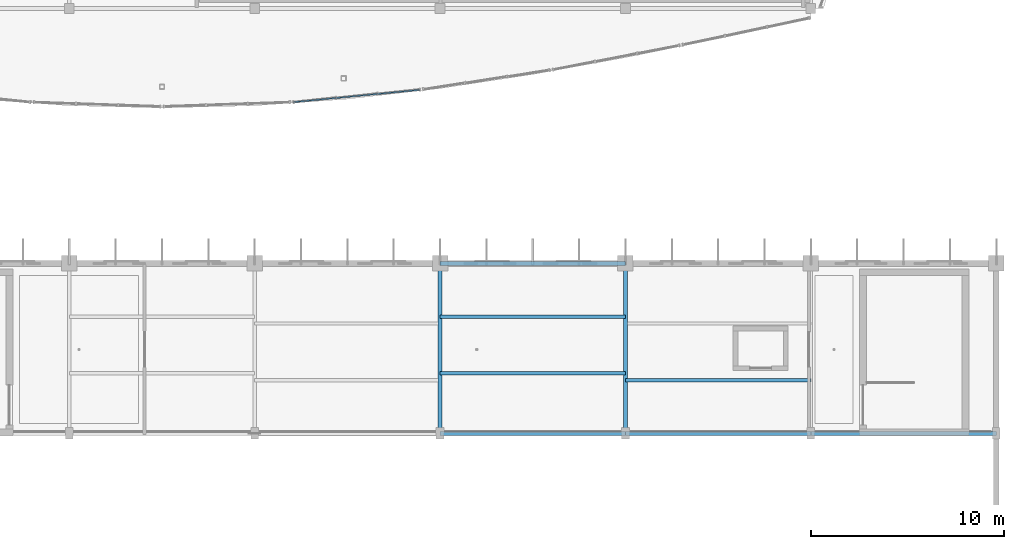
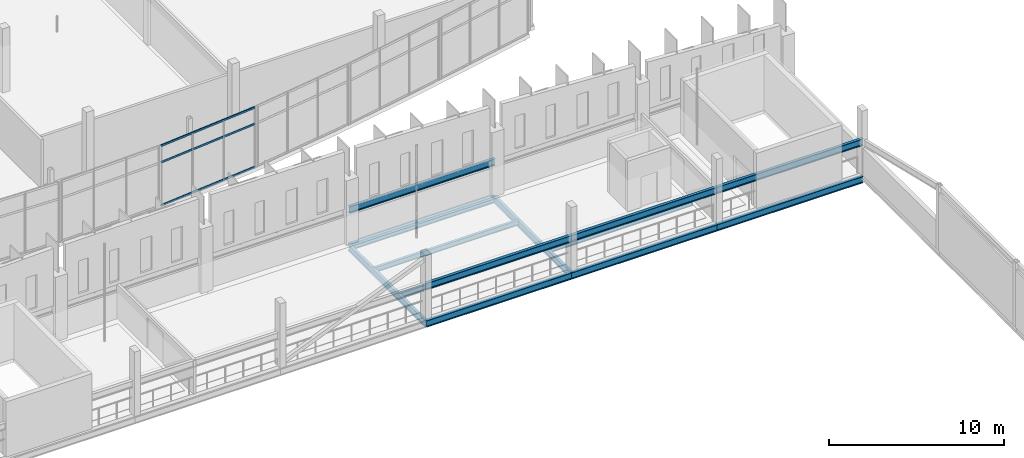
# One storey, part 46 of 114: 13 beams, 3 members, 1 element without a shape of its own.
"""IFC4 building model written with IfcOpenShell, lengths in metres."""

from ifc_helpers import new_model, si_unit, direction, frame, origin, origin_2d, place, context, subcontext, project, spatial, hollow_rectangle, i_section, extrude, material, layer, layer_set, material_profile, profile_set, type_object, element, aggregate, save


model = new_model("IFC4")

# Units and contexts
model_context = context("Model", 3, precision=1e-05, world=origin(), true_north=direction((0.0, 1.0)))
body_context = subcontext(model_context, "Body", "Model", "MODEL_VIEW")
ifc_project = project(units=[si_unit("LENGTHUNIT", "METRE"), si_unit("AREAUNIT", "SQUARE_METRE"), si_unit("VOLUMEUNIT", "CUBIC_METRE"), si_unit("PLANEANGLEUNIT", "RADIAN"), si_unit("MASSUNIT", "GRAM", prefix="KILO")], contexts=[model_context])

# Site, building, storey
site_placement = place(None, origin())
site = spatial("IfcSite", under=ifc_project, at=site_placement, CompositionType="ELEMENT")
building_placement = place(site_placement, origin())
building = spatial("IfcBuilding", under=site, at=building_placement, Name="Chalmorin Arch Market", CompositionType="ELEMENT")
storey_placement = place(building_placement, frame((0.0, 0.0, 9.60009765625)))
storey = spatial("IfcBuildingStorey", under=building, at=storey_placement, Name="L02", CompositionType="ELEMENT", Elevation=9.60009765625)

# Curtain wall, members
ifc_material_1 = material(Name="Aluminium 6063-T6", Category="aluminium")
ifc_layer = layer(ifc_material_1, 0.159912109375)
ifc_layer_set = layer_set([ifc_layer], Name="Aluminium 6063-T6")
curtain_wall_type = type_object("IfcCurtainWallType", Name="CulinaryStudioCurtainWall-CW3-6570x4220", PredefinedType="NOTDEFINED", material=ifc_layer_set)
curtain_wall_placement = place(storey_placement, origin())
curtain_wall = element("IfcCurtainWall", 1, at=curtain_wall_placement, inside=storey, type_object=curtain_wall_type, Name="CW-03-169", PredefinedType="NOTDEFINED")
ifc_material_profile_1 = material_profile(ifc_material_1, hollow_rectangle(XDim=0.06494140625, YDim=0.1298828125, WallThickness=0.00390625, at=origin_2d()), Name="ALU65X130X4")
ifc_profile_set_1 = profile_set([ifc_material_profile_1], Name="Aluminium 6063-T6")
member_type = type_object("IfcMemberType", Name="CurtainWallTransom-65x130", PredefinedType="USERDEFINED", material=ifc_profile_set_1)
member_1_placement = place(storey_placement, frame((88.40966796875, 67.15380859375, 0.034912109375), z_axis=(0.995298859057, 0.096851335357, 0.0), x_axis=(-0.096851335357, 0.995298859057, 0.0)))
member_1 = element("IfcMember", 2, at=member_1_placement, type_object=member_type, Name="TR-169-01", ObjectType="TRANSOM", PredefinedType="USERDEFINED", context=body_context, shape_type="SweptSolid", body=[
    extrude(hollow_rectangle(XDim=0.06494140625, YDim=0.1298828125, WallThickness=0.00390625, at=origin_2d()), origin(), (0.0, 0.0, 1.0), 6.57177734375),
])
member_2_placement = place(storey_placement, frame((88.40966796875, 67.15380859375, 3.038330078125), z_axis=(0.995298859057, 0.096851335357, 0.0), x_axis=(-0.096851335357, 0.995298859057, 0.0)))
member_2 = element("IfcMember", 3, at=member_2_placement, type_object=member_type, Name="TR-169-02", ObjectType="TRANSOM", PredefinedType="USERDEFINED", context=body_context, shape_type="SweptSolid", body=[
    extrude(hollow_rectangle(XDim=0.06494140625, YDim=0.1298828125, WallThickness=0.00390625, at=origin_2d()), origin(), (0.0, 0.0, 1.0), 6.57177734375),
])
member_3_placement = place(storey_placement, frame((88.40966796875, 67.15380859375, 4.184814453125), z_axis=(0.995298859057, 0.096851335357, 0.0), x_axis=(-0.096851335357, 0.995298859057, 0.0)))
member_3 = element("IfcMember", 4, at=member_3_placement, type_object=member_type, Name="TR-169-03", ObjectType="TRANSOM", PredefinedType="USERDEFINED", context=body_context, shape_type="SweptSolid", body=[
    extrude(hollow_rectangle(XDim=0.06494140625, YDim=0.1298828125, WallThickness=0.00390625, at=origin_2d()), origin(), (0.0, 0.0, 1.0), 6.57177734375),
])
aggregate(curtain_wall, [member_1, member_2, member_3])

# Beams
ifc_material_2 = material(Name="Steel A992 Grade 50", Category="steel")
ifc_material_profile_2 = material_profile(ifc_material_2, i_section(OverallWidth=0.19091796875, OverallDepth=0.45703125, WebThickness=0.009033203125, FlangeThickness=0.014404296875, FilletRadius=0.02001953125, at=origin_2d()), Name="W18X50")
ifc_profile_set_2 = profile_set([ifc_material_profile_2], Name="Steel A992 Grade 50")
beam_type_1 = type_object("IfcBeamType", Name="FloorSteelBeam-W18X50", PredefinedType="BEAM", material=ifc_profile_set_2)
for number, where, z_axis, x_axis, name in (
    (5, (96.0, 50.0, -0.460693359375), (0.0, 1.0, 0.0), (-1.0, 0.0, 0.0), "BM-W18B-1116"),
    (6, (105.60009765625, 50.0, -0.460693359375), (0.0, 1.0, 0.0), (-1.0, 0.0, 0.0), "BM-W18B-1119"),
):
    element("IfcBeam", number, at=place(storey_placement, frame(where, z_axis=z_axis, x_axis=x_axis)), inside=storey, type_object=beam_type_1, Name=name, PredefinedType="BEAM", context=body_context, shape_type="SweptSolid", body=[
        extrude(i_section(OverallWidth=0.19091796875, OverallDepth=0.45703125, WebThickness=0.009033203125, FlangeThickness=0.014404296875, FilletRadius=0.02001953125, at=origin_2d()), origin(), (0.0, 0.0, 1.0), 8.800048828125),
    ])
ifc_material_profile_3 = material_profile(ifc_material_2, i_section(OverallWidth=0.193115234375, OverallDepth=0.466064453125, WebThickness=0.011474609375, FlangeThickness=0.01904296875, FilletRadius=0.02001953125, at=origin_2d()), Name="W18X65")
ifc_profile_set_3 = profile_set([ifc_material_profile_3], Name="Steel A992 Grade 50")
beam_type_2 = type_object("IfcBeamType", Name="FloorSteelBeam-W18X65", PredefinedType="BEAM", material=ifc_profile_set_3)
for number, where, z_axis, x_axis, name in (
    (7, (96.0, 50.0, 2.14990234375), (1.0, 0.0, 0.0), (0.0, 1.0, 0.0), "BM-W18A-1786"),
    (8, (96.0, 58.800048828125, 2.14990234375), (1.0, 0.0, 0.0), (0.0, 1.0, 0.0), "BM-W18A-1787"),
):
    element("IfcBeam", number, at=place(storey_placement, frame(where, z_axis=z_axis, x_axis=x_axis)), inside=storey, type_object=beam_type_2, Name=name, PredefinedType="BEAM", context=body_context, shape_type="SweptSolid", body=[
        extrude(i_section(OverallWidth=0.193115234375, OverallDepth=0.466064453125, WebThickness=0.011474609375, FlangeThickness=0.01904296875, FilletRadius=0.02001953125, at=origin_2d()), origin(), (0.0, 0.0, 1.0), 9.60009765625),
    ])
beam_1_placement = place(storey_placement, frame((105.60009765625, 50.0, 2.14990234375), z_axis=(1.0, 0.0, 0.0), x_axis=(0.0, 1.0, 0.0)))
element("IfcBeam", 9, at=beam_1_placement, inside=storey, type_object=beam_type_2, Name="BM-W18A-1790", PredefinedType="BEAM", context=body_context, shape_type="SweptSolid", body=[
    extrude(i_section(OverallWidth=0.193115234375, OverallDepth=0.466064453125, WebThickness=0.011474609375, FlangeThickness=0.01904296875, FilletRadius=0.02001953125, at=origin_2d()), origin(), (0.0, 0.0, 1.0), 9.599853515625),
])
beam_2_placement = place(storey_placement, frame((115.199951171875, 50.0, 2.14990234375), z_axis=(1.0, 0.0, 0.0), x_axis=(0.0, 1.0, 0.0)))
element("IfcBeam", 10, at=beam_2_placement, inside=storey, type_object=beam_type_2, Name="BM-W18A-1794", PredefinedType="BEAM", context=body_context, shape_type="SweptSolid", body=[
    extrude(i_section(OverallWidth=0.193115234375, OverallDepth=0.466064453125, WebThickness=0.011474609375, FlangeThickness=0.01904296875, FilletRadius=0.02001953125, at=origin_2d()), origin(), (0.0, 0.0, 1.0), 9.60009765625),
])
ifc_material_profile_4 = material_profile(ifc_material_2, i_section(OverallWidth=0.19091796875, OverallDepth=0.45703125, WebThickness=0.009033203125, FlangeThickness=0.014404296875, FilletRadius=0.02001953125, at=origin_2d()), Name="W18X50")
ifc_profile_set_4 = profile_set([ifc_material_profile_4], Name="Steel A992 Grade 50")
beam_type_3 = type_object("IfcBeamType", Name="PerimeterSpandrelBeam-W18X50", PredefinedType="SPANDREL", material=ifc_profile_set_4)
for number, where, z_axis, x_axis, name in (
    (11, (96.0, 50.0, -0.460693359375), (1.0, 0.0, 0.0), (0.0, 1.0, 0.0), "SP-W18-1117"),
    (12, (96.0, 58.800048828125, -0.460693359375), (1.0, 0.0, 0.0), (0.0, 1.0, 0.0), "SP-W18-1118"),
):
    element("IfcBeam", number, at=place(storey_placement, frame(where, z_axis=z_axis, x_axis=x_axis)), inside=storey, type_object=beam_type_3, Name=name, PredefinedType="SPANDREL", context=body_context, shape_type="SweptSolid", body=[
        extrude(i_section(OverallWidth=0.19091796875, OverallDepth=0.45703125, WebThickness=0.009033203125, FlangeThickness=0.014404296875, FilletRadius=0.02001953125, at=origin_2d()), origin(), (0.0, 0.0, 1.0), 9.60009765625),
    ])
beam_3_placement = place(storey_placement, frame((105.60009765625, 50.0, -0.460693359375), z_axis=(1.0, 0.0, 0.0), x_axis=(0.0, 1.0, 0.0)))
element("IfcBeam", 13, at=beam_3_placement, inside=storey, type_object=beam_type_3, Name="SP-W18-1120", PredefinedType="SPANDREL", context=body_context, shape_type="SweptSolid", body=[
    extrude(i_section(OverallWidth=0.19091796875, OverallDepth=0.45703125, WebThickness=0.009033203125, FlangeThickness=0.014404296875, FilletRadius=0.02001953125, at=origin_2d()), origin(), (0.0, 0.0, 1.0), 9.599853515625),
])
beam_4_placement = place(storey_placement, frame((115.199951171875, 50.0, -0.460693359375), z_axis=(1.0, 0.0, 0.0), x_axis=(0.0, 1.0, 0.0)))
element("IfcBeam", 14, at=beam_4_placement, inside=storey, type_object=beam_type_3, Name="SP-W18-1123", PredefinedType="SPANDREL", context=body_context, shape_type="SweptSolid", body=[
    extrude(i_section(OverallWidth=0.19091796875, OverallDepth=0.45703125, WebThickness=0.009033203125, FlangeThickness=0.014404296875, FilletRadius=0.02001953125, at=origin_2d()), origin(), (0.0, 0.0, 1.0), 9.60009765625),
])
ifc_material_profile_5 = material_profile(ifc_material_2, i_section(OverallWidth=0.1708984375, OverallDepth=0.35107421875, WebThickness=0.0068359375, FlangeThickness=0.009765625, FilletRadius=0.014892578125, at=origin_2d()), Name="W14X30")
ifc_profile_set_5 = profile_set([ifc_material_profile_5], Name="Steel A992 Grade 50")
beam_type_4 = type_object("IfcBeamType", Name="SecondaryFloorJoist-W14X30", PredefinedType="JOIST", material=ifc_profile_set_5)
for number, where, z_axis, x_axis, name in (
    (15, (96.0, 53.11328125, -0.40771484375), (1.0, 0.0, 0.0), (0.0, 1.0, 0.0), "BJ-W14-1130"),
    (16, (96.0, 56.046630859375, -0.40771484375), (1.0, 0.0, 0.0), (0.0, 1.0, 0.0), "BJ-W14-1131"),
):
    element("IfcBeam", number, at=place(storey_placement, frame(where, z_axis=z_axis, x_axis=x_axis)), inside=storey, type_object=beam_type_4, Name=name, PredefinedType="JOIST", context=body_context, shape_type="SweptSolid", body=[
        extrude(i_section(OverallWidth=0.1708984375, OverallDepth=0.35107421875, WebThickness=0.0068359375, FlangeThickness=0.009765625, FilletRadius=0.014892578125, at=origin_2d()), origin(), (0.0, 0.0, 1.0), 9.60009765625),
    ])
beam_5_placement = place(storey_placement, frame((105.60009765625, 52.75341796875, -0.40771484375), z_axis=(1.0, 0.0, 0.0), x_axis=(0.0, 1.0, 0.0)))
element("IfcBeam", 17, at=beam_5_placement, inside=storey, type_object=beam_type_4, Name="BJ-W14-1132", PredefinedType="JOIST", context=body_context, shape_type="SweptSolid", body=[
    extrude(i_section(OverallWidth=0.1708984375, OverallDepth=0.35107421875, WebThickness=0.0068359375, FlangeThickness=0.009765625, FilletRadius=0.014892578125, at=origin_2d()), origin(), (0.0, 0.0, 1.0), 9.599853515625),
])

save(model, "model.ifc")
